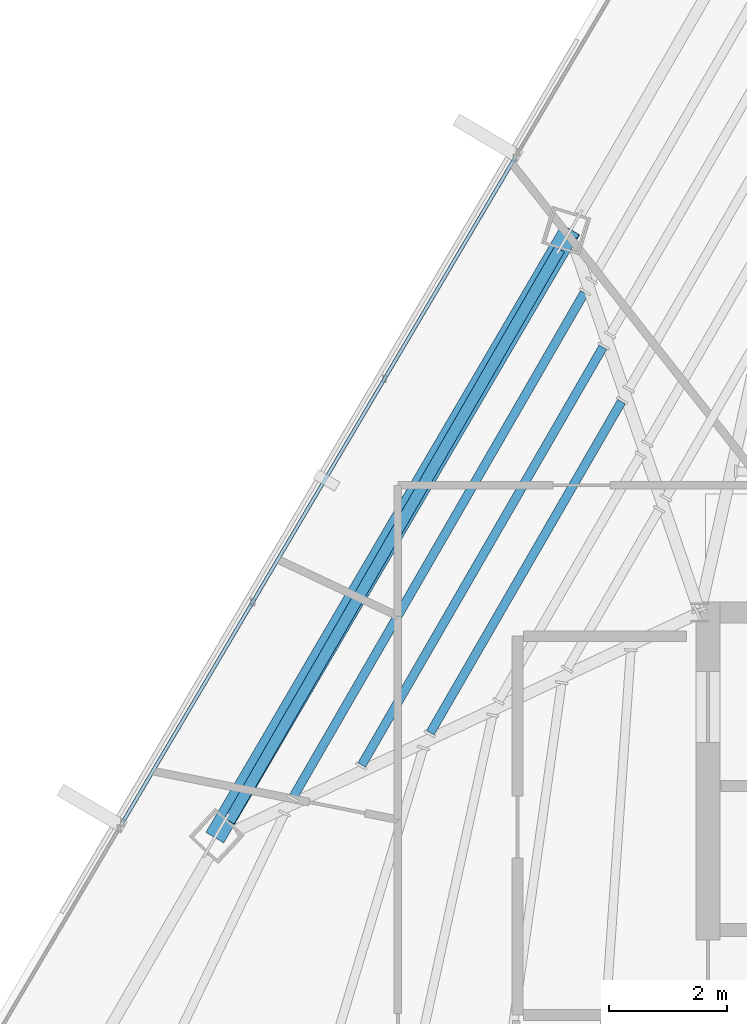
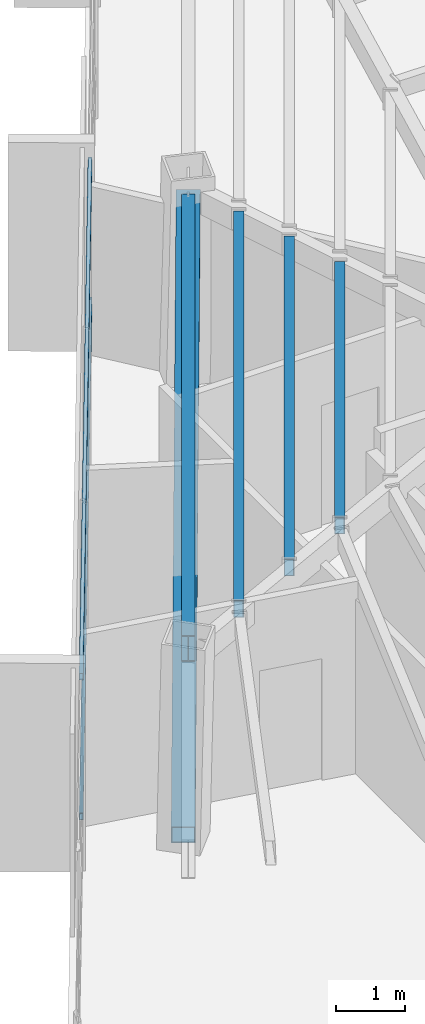
# One storey, part 16 of 47: 4 beams, 3 members, 1 element without a shape of its own.
"""IFC4 building model written with IfcOpenShell, lengths in metres."""

from ifc_helpers import new_model, si_unit, direction, frame, origin, origin_2d, place, context, subcontext, project, spatial, hollow_rectangle, i_section, extrude, source, transform, mapped, material, material_profile, profile_set, type_object, type_shapes, element, aggregate, save


model = new_model("IFC4")

# Units and contexts
model_context = context("Model", 3, precision=1e-05, world=origin(), true_north=direction((0.0, 1.0)))
body_context = subcontext(model_context, "Body", "Model", "MODEL_VIEW")
ifc_project = project(units=[si_unit("LENGTHUNIT", "METRE"), si_unit("AREAUNIT", "SQUARE_METRE"), si_unit("VOLUMEUNIT", "CUBIC_METRE"), si_unit("PLANEANGLEUNIT", "RADIAN"), si_unit("MASSUNIT", "GRAM", prefix="KILO")], contexts=[model_context])

# Site, building, storey
site_placement = place(None, origin())
site = spatial("IfcSite", under=ifc_project, at=site_placement, CompositionType="ELEMENT")
building_placement = place(site_placement, origin())
building = spatial("IfcBuilding", under=site, at=building_placement, Name="Caelisora Broadcast Tower", CompositionType="ELEMENT")
storey_placement = place(building_placement, frame((0.0, 0.0, 255.39990234375)))
storey = spatial("IfcBuildingStorey", under=building, at=storey_placement, Name="L67", CompositionType="ELEMENT", Elevation=255.39990234375)

# Beams
ifc_material_1 = material(Name="Steel Grade 350 (AS/NZS 3679.1)", Category="steel")
ifc_material_profile_1 = material_profile(ifc_material_1, i_section(OverallWidth=0.19091796875, OverallDepth=0.46044921875, WebThickness=0.010009765625, FlangeThickness=0.01611328125, at=origin_2d()), Name="Steel Grade 350 (AS/NZS 3679.1)")
ifc_profile_set_1 = profile_set([ifc_material_profile_1], Name="Steel Grade 350 (AS/NZS 3679.1)")
beam_type_1 = type_object("IfcBeamType", Name="PG06", PredefinedType="BEAM", material=ifc_profile_set_1)
shared_shape_1 = source(origin(), body_context, "Body", "SweptSolid", [
    extrude(i_section(OverallWidth=0.19091796875, OverallDepth=0.46044921875, WebThickness=0.010009765625, FlangeThickness=0.01611328125, at=origin_2d()), origin(), (0.0, 0.0, 1.0), 11.1572265625),
])
type_shapes(beam_type_1, [shared_shape_1])
beam_1_placement = place(storey_placement, frame((28.1318359375, 36.138916015625, 3.169921875), z_axis=(-0.50000342009, -0.866023429186, 0.0), x_axis=(0.866023429186, -0.50000342009, 0.0)))
element("IfcBeam", 1, at=beam_1_placement, inside=storey, type_object=beam_type_1, Name="L67 beam PG06", PredefinedType="BEAM", context=body_context, shape_type="MappedRepresentation", body=[
    mapped(shared_shape_1, transform((0.0, 0.0, 0.0), scale=1.0)),
])
ifc_material_2 = material(Name="Steel Grade 350 (AS/NZS 1163 C350L0)", Category="steel")
ifc_material_profile_2 = material_profile(ifc_material_2, hollow_rectangle(XDim=0.14990234375, YDim=0.300048828125, WallThickness=0.010009765625, at=origin_2d()), Name="Steel Grade 350 (AS/NZS 1163 C350L0)")
ifc_profile_set_2 = profile_set([ifc_material_profile_2], Name="Steel Grade 350 (AS/NZS 1163 C350L0)")
beam_type_2 = type_object("IfcBeamType", Name="SB05", PredefinedType="JOIST", material=ifc_profile_set_2)
shared_shape_2 = source(origin(), body_context, "Body", "SweptSolid", [
    extrude(hollow_rectangle(XDim=0.14990234375, YDim=0.300048828125, WallThickness=0.010009765625, at=origin_2d()), origin(), (0.0, 0.0, 1.0), 6.4599609375),
])
beam_2_placement = place(storey_placement, frame((29.178466796875, 33.56298828125, 3.25), z_axis=(-0.500000526688, -0.866025099701, 0.0), x_axis=(0.866025099701, -0.500000526688, 0.0)))
element("IfcBeam", 2, at=beam_2_placement, inside=storey, type_object=beam_type_2, Name="L67 beam SB05", PredefinedType="JOIST", context=body_context, shape_type="MappedRepresentation", body=[
    mapped(shared_shape_2, transform((0.0, 0.0, 0.0), scale=1.0)),
])
shared_shape_3 = source(origin(), body_context, "Body", "SweptSolid", [
    extrude(hollow_rectangle(XDim=0.14990234375, YDim=0.300048828125, WallThickness=0.010009765625, at=origin_2d()), origin(), (0.0, 0.0, 1.0), 8.150390625),
])
beam_3_placement = place(storey_placement, frame((28.8642578125, 34.481689453125, 3.25), z_axis=(-0.500005085581, -0.866022467603, 0.0), x_axis=(0.866022467603, -0.500005085581, 0.0)))
element("IfcBeam", 3, at=beam_3_placement, inside=storey, type_object=beam_type_2, Name="L67 beam SB05", PredefinedType="JOIST", context=body_context, shape_type="MappedRepresentation", body=[
    mapped(shared_shape_3, transform((0.0, 0.0, 0.0), scale=1.0)),
])
shared_shape_4 = source(origin(), body_context, "Body", "SweptSolid", [
    extrude(hollow_rectangle(XDim=0.14990234375, YDim=0.300048828125, WallThickness=0.010009765625, at=origin_2d()), origin(), (0.0, 0.0, 1.0), 9.840576171875),
])
type_shapes(beam_type_2, [shared_shape_2, shared_shape_3, shared_shape_4])
beam_4_placement = place(storey_placement, frame((28.550048828125, 35.400390625, 3.25), z_axis=(-0.500008078283, -0.866020739735, 0.0), x_axis=(0.866020739735, -0.500008078283, 0.0)))
element("IfcBeam", 4, at=beam_4_placement, inside=storey, type_object=beam_type_2, Name="L67 beam SB05", PredefinedType="JOIST", context=body_context, shape_type="MappedRepresentation", body=[
    mapped(shared_shape_4, transform((0.0, 0.0, 0.0), scale=1.0)),
])

# Member
ifc_material_3 = material(Name="Steel Grade 450 (AS/NZS 1163 C450L0)", Category="steel")
ifc_material_profile_3 = material_profile(ifc_material_3, hollow_rectangle(XDim=0.35009765625, YDim=0.35009765625, WallThickness=0.012451171875, at=origin_2d()), Name="Steel Grade 450 (AS/NZS 1163 C450L0)")
ifc_profile_set_3 = profile_set([ifc_material_profile_3], Name="Steel Grade 450 (AS/NZS 1163 C450L0)")
member_type_1 = type_object("IfcMemberType", Name="BR05", PredefinedType="BRACE", material=ifc_profile_set_3)
shared_shape_5 = source(origin(), body_context, "Body", "SweptSolid", [
    extrude(hollow_rectangle(XDim=0.35009765625, YDim=0.35009765625, WallThickness=0.012451171875, at=origin_2d()), origin(), (0.0, 0.0, 1.0), 12.191650390625),
])
type_shapes(member_type_1, [shared_shape_5])
member_1_placement = place(storey_placement, frame((28.30078125, 36.431640625, 3.10009765625), z_axis=(-0.489756932107, -0.836413605113, -0.246069966951), x_axis=(0.862947454752, -0.505293667422, 0.0)))
element("IfcMember", 5, at=member_1_placement, inside=storey, type_object=member_type_1, Name="L67 perimeter brace BR05", PredefinedType="BRACE", context=body_context, shape_type="MappedRepresentation", body=[
    mapped(shared_shape_5, transform((0.0, 0.0, 0.0), scale=1.0)),
])

# Curtain wall, members
ifc_material_4 = material(Name="Unitised Aluminium Insulated Shadow-Box Spandrel Curtain Wall", Category="aluminium")
curtain_wall_type = type_object("IfcCurtainWallType", Name="CW-SP3", PredefinedType="NOTDEFINED", material=ifc_material_4)
curtain_wall_placement = place(storey_placement, origin())
curtain_wall = element("IfcCurtainWall", 6, at=curtain_wall_placement, inside=storey, type_object=curtain_wall_type, Name="L67 curtain wall CW-SP3", PredefinedType="NOTDEFINED")
ifc_material_5 = material(Name="Aluminium 6063-T6 Anodised Terracotta Bronze", Category="aluminium")
ifc_material_profile_4 = material_profile(ifc_material_5, hollow_rectangle(XDim=0.06005859375, YDim=0.1201171875, WallThickness=0.0029296875, at=origin_2d()), Name="Aluminium 6063-T6 Anodised Terracotta Bronze")
ifc_profile_set_4 = profile_set([ifc_material_profile_4], Name="Aluminium 6063-T6 Anodised Terracotta Bronze")
member_type_2 = type_object("IfcMemberType", Name="CWT-03", PredefinedType="USERDEFINED", material=ifc_profile_set_4)
shared_shape_6 = source(origin(), body_context, "Body", "SweptSolid", [
    extrude(hollow_rectangle(XDim=0.06005859375, YDim=0.1201171875, WallThickness=0.0029296875, at=origin_2d()), origin(), (0.0, 0.0, 1.0), 13.03955078125),
])
type_shapes(member_type_2, [shared_shape_6])
member_2_placement = place(storey_placement, frame((20.7470703125, 26.448974609375, 0.85009765625), z_axis=(0.508444796289, 0.861094587793, 0.0), x_axis=(-0.861094587793, 0.508444796289, 0.0)))
member_2 = element("IfcMember", 7, at=member_2_placement, type_object=member_type_2, Name="L67-CW-B10 transom #1", ObjectType="TRANSOM", PredefinedType="USERDEFINED", context=body_context, shape_type="MappedRepresentation", body=[
    mapped(shared_shape_6, transform((0.0, 0.0, 0.0), scale=1.0)),
])
member_3_placement = place(storey_placement, frame((20.7470703125, 26.448974609375, 3.320068359375), z_axis=(0.508444796289, 0.861094587793, 0.0), x_axis=(-0.861094587793, 0.508444796289, 0.0)))
member_3 = element("IfcMember", 8, at=member_3_placement, type_object=member_type_2, Name="L67-CW-B10 transom #2", ObjectType="TRANSOM", PredefinedType="USERDEFINED", context=body_context, shape_type="MappedRepresentation", body=[
    mapped(shared_shape_6, transform((0.0, 0.0, 0.0), scale=1.0)),
])
aggregate(curtain_wall, [member_2, member_3])

save(model, "model.ifc")
